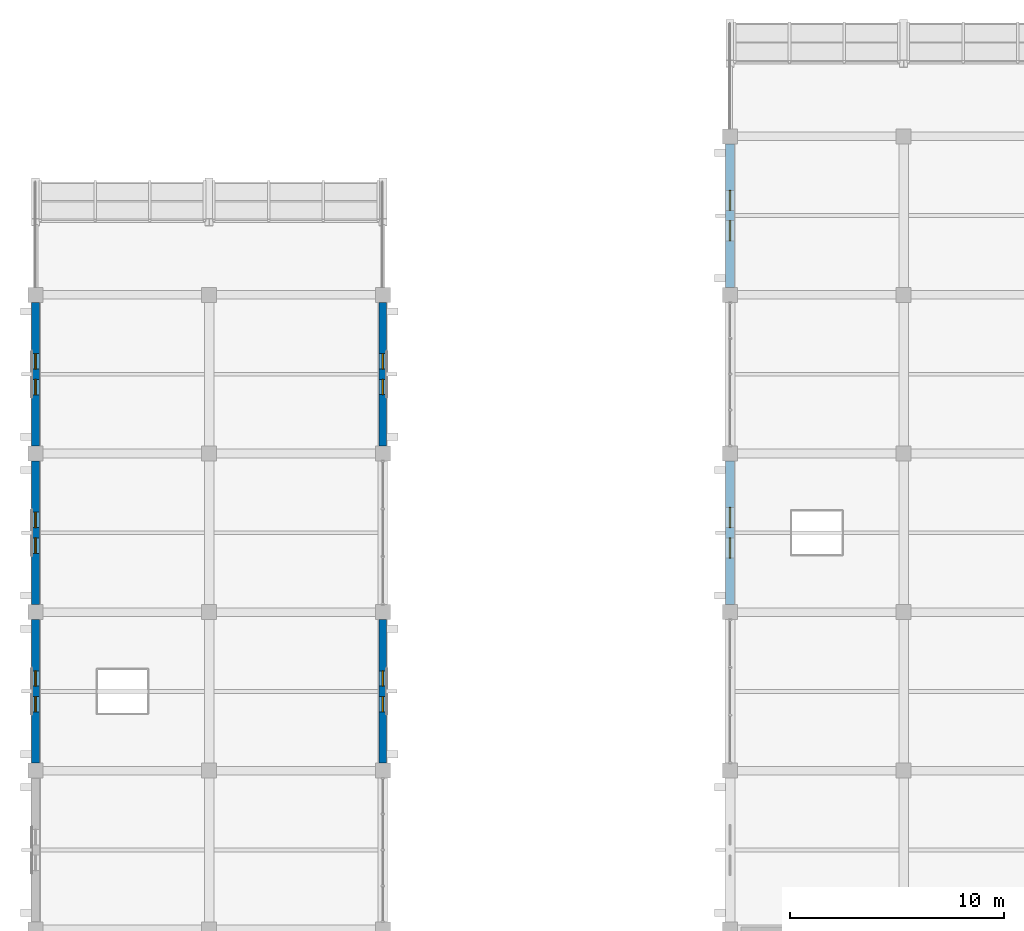
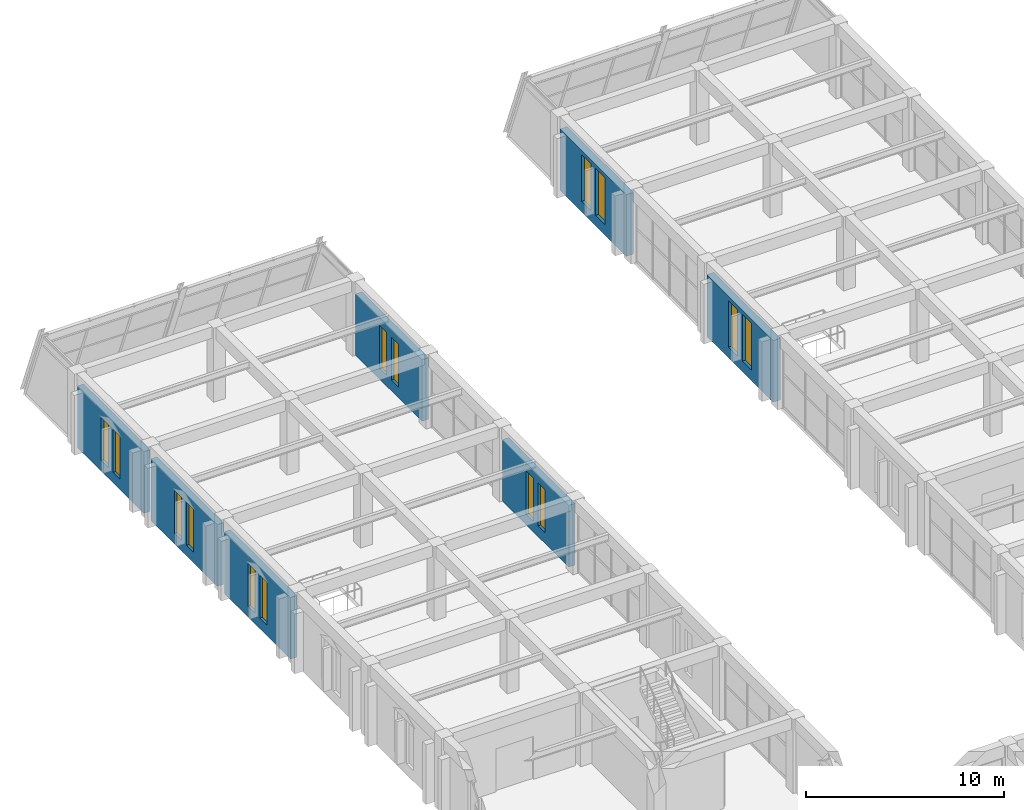
# One storey, part 149 of 161: 14 windows, 7 walls, 14 openings.
"""IFC4 building model written with IfcOpenShell, lengths in metres."""

from ifc_helpers import new_model, si_unit, direction, frame, frame_2d, origin, place, context, subcontext, project, spatial, rectangle, extrude, material, layer, layer_set, type_object, element, fill, save


model = new_model("IFC4")

# Units and contexts
model_context = context("Model", 3, precision=1e-05, world=origin(), true_north=direction((0.0, 1.0)))
body_context = subcontext(model_context, "Body", "Model", "MODEL_VIEW")
ifc_project = project(units=[si_unit("LENGTHUNIT", "METRE"), si_unit("AREAUNIT", "SQUARE_METRE"), si_unit("VOLUMEUNIT", "CUBIC_METRE"), si_unit("PLANEANGLEUNIT", "RADIAN"), si_unit("MASSUNIT", "GRAM", prefix="KILO")], contexts=[model_context])

# Site, building, storey
site_placement = place(None, origin())
site = spatial("IfcSite", under=ifc_project, at=site_placement, CompositionType="ELEMENT")
building_placement = place(site_placement, origin())
building = spatial("IfcBuilding", under=site, at=building_placement, Name="Cimatlan Art Gallery", CompositionType="ELEMENT")
storey_placement = place(building_placement, frame((0.0, 0.0, 5.39990234375)))
storey = spatial("IfcBuildingStorey", under=building, at=storey_placement, Name="L01", CompositionType="ELEMENT", Elevation=5.39990234375)

# Wall, openings, windows
ifc_material_1 = material(Name="Precast concrete C40/50", Category="concrete")
ifc_layer_1 = layer(ifc_material_1, 0.419921875)
ifc_layer_set_1 = layer_set([ifc_layer_1], Name="Precast concrete C40/50")
wall_type_1 = type_object("IfcWallType", Name="WL-EXT-CAN-420", PredefinedType="SOLIDWALL", material=ifc_layer_set_1)
wall_1_placement = place(storey_placement, frame((34.39990234375, 76.053955078125, 0.0), z_axis=(0.0, 0.0, 1.0), x_axis=(0.0, 1.0, 0.0)))
wall_1 = element("IfcWall", 1, at=wall_1_placement, inside=storey, type_object=wall_type_1, Name="WL-EXT-L01-04-10-W", PredefinedType="SOLIDWALL", context=body_context, shape_type="SweptSolid", body=[
    extrude(rectangle(XDim=6.692138671875, YDim=0.419921875, at=frame_2d((3.34619140625, 0.0))), origin(), (0.0, 0.0, 1.0), 3.795166015625),
])
opening_1_placement = place(wall_1_placement, frame((2.166015625, 0.0, 0.64990234375)))
opening_1 = element("IfcOpeningElement", 2, at=opening_1_placement, cuts=wall_1, Name="Opening WN-0101", PredefinedType="OPENING", context=body_context, shape_type="SweptSolid", body=[
    extrude(rectangle(XDim=0.93994140625, YDim=2.8798828125, at=frame_2d((0.469970703125, 1.43994140625))), frame((0.0, 0.219970703125, 0.0), z_axis=(0.0, -1.0, 0.0), x_axis=(1.0, 0.0, 0.0)), (0.0, 0.0, 1.0), 0.43994140625),
])
opening_2_placement = place(wall_1_placement, frame((3.5859375, 0.0, 0.64990234375)))
opening_2 = element("IfcOpeningElement", 3, at=opening_2_placement, cuts=wall_1, Name="Opening WN-0102", PredefinedType="OPENING", context=body_context, shape_type="SweptSolid", body=[
    extrude(rectangle(XDim=0.93994140625, YDim=2.8798828125, at=frame_2d((0.469970703125, 1.43994140625))), frame((0.0, 0.219970703125, 0.0), z_axis=(0.0, -1.0, 0.0), x_axis=(1.0, 0.0, 0.0)), (0.0, 0.0, 1.0), 0.43994140625),
])
ifc_material_2 = material(Name="Low-E laminated double glazing in bronze lancet frame", Category="glass")
window_type_1 = type_object("IfcWindowType", Name="WIN-PAV-W1-0940X2880", PartitioningType="SINGLE_PANEL", PredefinedType="WINDOW", material=ifc_material_2)
window_1_placement = place(opening_1_placement, origin())
window_1 = element("IfcWindow", 4, at=window_1_placement, inside=storey, type_object=window_type_1, Name="WIN-0101", OverallHeight=2.8798828125, OverallWidth=0.93994140625, PartitioningType="SINGLE_PANEL", PredefinedType="WINDOW", context=body_context, shape_type="SweptSolid", body=[
    extrude(rectangle(XDim=0.93994140625, YDim=2.8798828125, at=frame_2d((0.469970703125, 1.43994140625))), frame((0.0, 0.030029296875, 0.0), z_axis=(0.0, -1.0, 0.0), x_axis=(1.0, 0.0, 0.0)), (0.0, 0.0, 1.0), 0.06005859375),
])
fill(opening_1, window_1)
window_2_placement = place(opening_2_placement, origin())
window_2 = element("IfcWindow", 5, at=window_2_placement, inside=storey, type_object=window_type_1, Name="WIN-0102", OverallHeight=2.8798828125, OverallWidth=0.93994140625, PartitioningType="SINGLE_PANEL", PredefinedType="WINDOW", context=body_context, shape_type="SweptSolid", body=[
    extrude(rectangle(XDim=0.93994140625, YDim=2.8798828125, at=frame_2d((0.469970703125, 1.43994140625))), frame((0.0, 0.030029296875, 0.0), z_axis=(0.0, -1.0, 0.0), x_axis=(1.0, 0.0, 0.0)), (0.0, 0.0, 1.0), 0.06005859375),
])
fill(opening_2, window_2)

wall_2_placement = place(storey_placement, frame((34.39990234375, 90.85400390625, 0.0), z_axis=(0.0, 0.0, 1.0), x_axis=(0.0, 1.0, 0.0)))
wall_2 = element("IfcWall", 6, at=wall_2_placement, inside=storey, type_object=wall_type_1, Name="WL-EXT-L01-04-12-W", PredefinedType="SOLIDWALL", context=body_context, shape_type="SweptSolid", body=[
    extrude(rectangle(XDim=6.69189453125, YDim=0.419921875, at=frame_2d((3.345947265625, 0.0))), origin(), (0.0, 0.0, 1.0), 3.795166015625),
])
opening_3_placement = place(wall_2_placement, frame((2.166015625, 0.0, 0.64990234375)))
opening_3 = element("IfcOpeningElement", 7, at=opening_3_placement, cuts=wall_2, Name="Opening WN-0103", PredefinedType="OPENING", context=body_context, shape_type="SweptSolid", body=[
    extrude(rectangle(XDim=0.93994140625, YDim=2.8798828125, at=frame_2d((0.469970703125, 1.43994140625))), frame((0.0, 0.219970703125, 0.0), z_axis=(0.0, -1.0, 0.0), x_axis=(1.0, 0.0, 0.0)), (0.0, 0.0, 1.0), 0.43994140625),
])
opening_4_placement = place(wall_2_placement, frame((3.5859375, 0.0, 0.64990234375)))
opening_4 = element("IfcOpeningElement", 8, at=opening_4_placement, cuts=wall_2, Name="Opening WN-0104", PredefinedType="OPENING", context=body_context, shape_type="SweptSolid", body=[
    extrude(rectangle(XDim=0.93994140625, YDim=2.8798828125, at=frame_2d((0.469970703125, 1.43994140625))), frame((0.0, 0.219970703125, 0.0), z_axis=(0.0, -1.0, 0.0), x_axis=(1.0, 0.0, 0.0)), (0.0, 0.0, 1.0), 0.43994140625),
])
window_3_placement = place(opening_3_placement, origin())
window_3 = element("IfcWindow", 9, at=window_3_placement, inside=storey, type_object=window_type_1, Name="WIN-0103", OverallHeight=2.8798828125, OverallWidth=0.93994140625, PartitioningType="SINGLE_PANEL", PredefinedType="WINDOW", context=body_context, shape_type="SweptSolid", body=[
    extrude(rectangle(XDim=0.93994140625, YDim=2.8798828125, at=frame_2d((0.469970703125, 1.43994140625))), frame((0.0, 0.030029296875, 0.0), z_axis=(0.0, -1.0, 0.0), x_axis=(1.0, 0.0, 0.0)), (0.0, 0.0, 1.0), 0.06005859375),
])
fill(opening_3, window_3)
window_4_placement = place(opening_4_placement, origin())
window_4 = element("IfcWindow", 10, at=window_4_placement, inside=storey, type_object=window_type_1, Name="WIN-0104", OverallHeight=2.8798828125, OverallWidth=0.93994140625, PartitioningType="SINGLE_PANEL", PredefinedType="WINDOW", context=body_context, shape_type="SweptSolid", body=[
    extrude(rectangle(XDim=0.93994140625, YDim=2.8798828125, at=frame_2d((0.469970703125, 1.43994140625))), frame((0.0, 0.030029296875, 0.0), z_axis=(0.0, -1.0, 0.0), x_axis=(1.0, 0.0, 0.0)), (0.0, 0.0, 1.0), 0.06005859375),
])
fill(opening_4, window_4)

ifc_layer_2 = layer(ifc_material_1, 0.364990234375)
ifc_layer_set_2 = layer_set([ifc_layer_2], Name="Precast concrete C40/50")
wall_type_2 = type_object("IfcWallType", Name="WL-EXT-VLT-365", PredefinedType="SOLIDWALL", material=ifc_layer_set_2)
wall_3_placement = place(storey_placement, frame((2.0, 68.654052734375, 0.0), z_axis=(0.0, 0.0, 1.0), x_axis=(0.0, 1.0, 0.0)))
wall_3 = element("IfcWall", 11, at=wall_3_placement, inside=storey, type_object=wall_type_2, Name="WL-EXT-L01-00-09-W", PredefinedType="SOLIDWALL", context=body_context, shape_type="SweptSolid", body=[
    extrude(rectangle(XDim=6.69189453125, YDim=0.364990234375, at=frame_2d((3.345947265625, 0.0))), origin(), (0.0, 0.0, 1.0), 3.795166015625),
])
opening_5_placement = place(wall_3_placement, frame((2.385986328125, 0.0, 0.64990234375)))
opening_5 = element("IfcOpeningElement", 12, at=opening_5_placement, cuts=wall_3, Name="Opening WN-0073", PredefinedType="OPENING", context=body_context, shape_type="SweptSolid", body=[
    extrude(rectangle(XDim=0.719970703125, YDim=2.64990234375, at=frame_2d((0.35986328125, 1.324951171875))), frame((0.0, 0.1923828125, 0.0), z_axis=(0.0, -1.0, 0.0), x_axis=(1.0, 0.0, 0.0)), (0.0, 0.0, 1.0), 0.385009765625),
])
opening_6_placement = place(wall_3_placement, frame((3.5859375, 0.0, 0.64990234375)))
opening_6 = element("IfcOpeningElement", 13, at=opening_6_placement, cuts=wall_3, Name="Opening WN-0074", PredefinedType="OPENING", context=body_context, shape_type="SweptSolid", body=[
    extrude(rectangle(XDim=0.719970703125, YDim=2.64990234375, at=frame_2d((0.35986328125, 1.324951171875))), frame((0.0, 0.1923828125, 0.0), z_axis=(0.0, -1.0, 0.0), x_axis=(1.0, 0.0, 0.0)), (0.0, 0.0, 1.0), 0.385009765625),
])
window_type_2 = type_object("IfcWindowType", Name="WIN-CNS-L01-0720X2650", PartitioningType="SINGLE_PANEL", PredefinedType="WINDOW", material=ifc_material_2)
window_5_placement = place(opening_5_placement, origin())
window_5 = element("IfcWindow", 14, at=window_5_placement, inside=storey, type_object=window_type_2, Name="WIN-0073", OverallHeight=2.64990234375, OverallWidth=0.719970703125, PartitioningType="SINGLE_PANEL", PredefinedType="WINDOW", context=body_context, shape_type="SweptSolid", body=[
    extrude(rectangle(XDim=0.719970703125, YDim=2.64990234375, at=frame_2d((0.35986328125, 1.324951171875))), frame((0.0, 0.030029296875, 0.0), z_axis=(0.0, -1.0, 0.0), x_axis=(1.0, 0.0, 0.0)), (0.0, 0.0, 1.0), 0.06005859375),
])
fill(opening_5, window_5)
window_6_placement = place(opening_6_placement, origin())
window_6 = element("IfcWindow", 15, at=window_6_placement, inside=storey, type_object=window_type_2, Name="WIN-0074", OverallHeight=2.64990234375, OverallWidth=0.719970703125, PartitioningType="SINGLE_PANEL", PredefinedType="WINDOW", context=body_context, shape_type="SweptSolid", body=[
    extrude(rectangle(XDim=0.719970703125, YDim=2.64990234375, at=frame_2d((0.35986328125, 1.324951171875))), frame((0.0, 0.030029296875, 0.0), z_axis=(0.0, -1.0, 0.0), x_axis=(1.0, 0.0, 0.0)), (0.0, 0.0, 1.0), 0.06005859375),
])
fill(opening_6, window_6)

wall_4_placement = place(storey_placement, frame((2.0, 76.053955078125, 0.0), z_axis=(0.0, 0.0, 1.0), x_axis=(0.0, 1.0, 0.0)))
wall_4 = element("IfcWall", 16, at=wall_4_placement, inside=storey, type_object=wall_type_2, Name="WL-EXT-L01-00-10-W", PredefinedType="SOLIDWALL", context=body_context, shape_type="SweptSolid", body=[
    extrude(rectangle(XDim=6.692138671875, YDim=0.364990234375, at=frame_2d((3.34619140625, 0.0))), origin(), (0.0, 0.0, 1.0), 3.795166015625),
])
opening_7_placement = place(wall_4_placement, frame((2.385986328125, 0.0, 0.64990234375)))
opening_7 = element("IfcOpeningElement", 17, at=opening_7_placement, cuts=wall_4, Name="Opening WN-0075", PredefinedType="OPENING", context=body_context, shape_type="SweptSolid", body=[
    extrude(rectangle(XDim=0.719970703125, YDim=2.64990234375, at=frame_2d((0.35986328125, 1.324951171875))), frame((0.0, 0.1923828125, 0.0), z_axis=(0.0, -1.0, 0.0), x_axis=(1.0, 0.0, 0.0)), (0.0, 0.0, 1.0), 0.385009765625),
])
opening_8_placement = place(wall_4_placement, frame((3.5859375, 0.0, 0.64990234375)))
opening_8 = element("IfcOpeningElement", 18, at=opening_8_placement, cuts=wall_4, Name="Opening WN-0076", PredefinedType="OPENING", context=body_context, shape_type="SweptSolid", body=[
    extrude(rectangle(XDim=0.719970703125, YDim=2.64990234375, at=frame_2d((0.35986328125, 1.324951171875))), frame((0.0, 0.1923828125, 0.0), z_axis=(0.0, -1.0, 0.0), x_axis=(1.0, 0.0, 0.0)), (0.0, 0.0, 1.0), 0.385009765625),
])
window_7_placement = place(opening_7_placement, origin())
window_7 = element("IfcWindow", 19, at=window_7_placement, inside=storey, type_object=window_type_2, Name="WIN-0075", OverallHeight=2.64990234375, OverallWidth=0.719970703125, PartitioningType="SINGLE_PANEL", PredefinedType="WINDOW", context=body_context, shape_type="SweptSolid", body=[
    extrude(rectangle(XDim=0.719970703125, YDim=2.64990234375, at=frame_2d((0.35986328125, 1.324951171875))), frame((0.0, 0.030029296875, 0.0), z_axis=(0.0, -1.0, 0.0), x_axis=(1.0, 0.0, 0.0)), (0.0, 0.0, 1.0), 0.06005859375),
])
fill(opening_7, window_7)
window_8_placement = place(opening_8_placement, origin())
window_8 = element("IfcWindow", 20, at=window_8_placement, inside=storey, type_object=window_type_2, Name="WIN-0076", OverallHeight=2.64990234375, OverallWidth=0.719970703125, PartitioningType="SINGLE_PANEL", PredefinedType="WINDOW", context=body_context, shape_type="SweptSolid", body=[
    extrude(rectangle(XDim=0.719970703125, YDim=2.64990234375, at=frame_2d((0.35986328125, 1.324951171875))), frame((0.0, 0.030029296875, 0.0), z_axis=(0.0, -1.0, 0.0), x_axis=(1.0, 0.0, 0.0)), (0.0, 0.0, 1.0), 0.06005859375),
])
fill(opening_8, window_8)

wall_5_placement = place(storey_placement, frame((2.0, 83.4541015625, 0.0), z_axis=(0.0, 0.0, 1.0), x_axis=(0.0, 1.0, 0.0)))
wall_5 = element("IfcWall", 21, at=wall_5_placement, inside=storey, type_object=wall_type_2, Name="WL-EXT-L01-00-11-W", PredefinedType="SOLIDWALL", context=body_context, shape_type="SweptSolid", body=[
    extrude(rectangle(XDim=6.69189453125, YDim=0.364990234375, at=frame_2d((3.345947265625, 0.0))), origin(), (0.0, 0.0, 1.0), 3.795166015625),
])
opening_9_placement = place(wall_5_placement, frame((2.385986328125, 0.0, 0.64990234375)))
opening_9 = element("IfcOpeningElement", 22, at=opening_9_placement, cuts=wall_5, Name="Opening WN-0077", PredefinedType="OPENING", context=body_context, shape_type="SweptSolid", body=[
    extrude(rectangle(XDim=0.719970703125, YDim=2.64990234375, at=frame_2d((0.35986328125, 1.324951171875))), frame((0.0, 0.1923828125, 0.0), z_axis=(0.0, -1.0, 0.0), x_axis=(1.0, 0.0, 0.0)), (0.0, 0.0, 1.0), 0.385009765625),
])
opening_10_placement = place(wall_5_placement, frame((3.5859375, 0.0, 0.64990234375)))
opening_10 = element("IfcOpeningElement", 23, at=opening_10_placement, cuts=wall_5, Name="Opening WN-0078", PredefinedType="OPENING", context=body_context, shape_type="SweptSolid", body=[
    extrude(rectangle(XDim=0.719970703125, YDim=2.64990234375, at=frame_2d((0.35986328125, 1.324951171875))), frame((0.0, 0.1923828125, 0.0), z_axis=(0.0, -1.0, 0.0), x_axis=(1.0, 0.0, 0.0)), (0.0, 0.0, 1.0), 0.385009765625),
])
window_9_placement = place(opening_9_placement, origin())
window_9 = element("IfcWindow", 24, at=window_9_placement, inside=storey, type_object=window_type_2, Name="WIN-0077", OverallHeight=2.64990234375, OverallWidth=0.719970703125, PartitioningType="SINGLE_PANEL", PredefinedType="WINDOW", context=body_context, shape_type="SweptSolid", body=[
    extrude(rectangle(XDim=0.719970703125, YDim=2.64990234375, at=frame_2d((0.35986328125, 1.324951171875))), frame((0.0, 0.030029296875, 0.0), z_axis=(0.0, -1.0, 0.0), x_axis=(1.0, 0.0, 0.0)), (0.0, 0.0, 1.0), 0.06005859375),
])
fill(opening_9, window_9)
window_10_placement = place(opening_10_placement, origin())
window_10 = element("IfcWindow", 25, at=window_10_placement, inside=storey, type_object=window_type_2, Name="WIN-0078", OverallHeight=2.64990234375, OverallWidth=0.719970703125, PartitioningType="SINGLE_PANEL", PredefinedType="WINDOW", context=body_context, shape_type="SweptSolid", body=[
    extrude(rectangle(XDim=0.719970703125, YDim=2.64990234375, at=frame_2d((0.35986328125, 1.324951171875))), frame((0.0, 0.030029296875, 0.0), z_axis=(0.0, -1.0, 0.0), x_axis=(1.0, 0.0, 0.0)), (0.0, 0.0, 1.0), 0.06005859375),
])
fill(opening_10, window_10)

wall_6_placement = place(storey_placement, frame((18.199951171875, 75.345947265625, 0.0), z_axis=(0.0, 0.0, 1.0), x_axis=(0.0, -1.0, 0.0)))
wall_6 = element("IfcWall", 26, at=wall_6_placement, inside=storey, type_object=wall_type_2, Name="WL-EXT-L01-01-09-E", PredefinedType="SOLIDWALL", context=body_context, shape_type="SweptSolid", body=[
    extrude(rectangle(XDim=6.69189453125, YDim=0.364990234375, at=frame_2d((3.345947265625, 0.0))), origin(), (0.0, 0.0, 1.0), 3.795166015625),
])
opening_11_placement = place(wall_6_placement, frame((2.385986328125, 0.0, 0.64990234375)))
opening_11 = element("IfcOpeningElement", 27, at=opening_11_placement, cuts=wall_6, Name="Opening WN-0085", PredefinedType="OPENING", context=body_context, shape_type="SweptSolid", body=[
    extrude(rectangle(XDim=0.719970703125, YDim=2.64990234375, at=frame_2d((0.35986328125, 1.324951171875))), frame((0.0, 0.1923828125, 0.0), z_axis=(0.0, -1.0, 0.0), x_axis=(1.0, 0.0, 0.0)), (0.0, 0.0, 1.0), 0.385009765625),
])
opening_12_placement = place(wall_6_placement, frame((3.5859375, 0.0, 0.64990234375)))
opening_12 = element("IfcOpeningElement", 28, at=opening_12_placement, cuts=wall_6, Name="Opening WN-0086", PredefinedType="OPENING", context=body_context, shape_type="SweptSolid", body=[
    extrude(rectangle(XDim=0.719970703125, YDim=2.64990234375, at=frame_2d((0.35986328125, 1.324951171875))), frame((0.0, 0.1923828125, 0.0), z_axis=(0.0, -1.0, 0.0), x_axis=(1.0, 0.0, 0.0)), (0.0, 0.0, 1.0), 0.385009765625),
])
window_11_placement = place(opening_11_placement, origin())
window_11 = element("IfcWindow", 29, at=window_11_placement, inside=storey, type_object=window_type_2, Name="WIN-0085", OverallHeight=2.64990234375, OverallWidth=0.719970703125, PartitioningType="SINGLE_PANEL", PredefinedType="WINDOW", context=body_context, shape_type="SweptSolid", body=[
    extrude(rectangle(XDim=0.719970703125, YDim=2.64990234375, at=frame_2d((0.35986328125, 1.324951171875))), frame((0.0, 0.030029296875, 0.0), z_axis=(0.0, -1.0, 0.0), x_axis=(1.0, 0.0, 0.0)), (0.0, 0.0, 1.0), 0.06005859375),
])
fill(opening_11, window_11)
window_12_placement = place(opening_12_placement, origin())
window_12 = element("IfcWindow", 30, at=window_12_placement, inside=storey, type_object=window_type_2, Name="WIN-0086", OverallHeight=2.64990234375, OverallWidth=0.719970703125, PartitioningType="SINGLE_PANEL", PredefinedType="WINDOW", context=body_context, shape_type="SweptSolid", body=[
    extrude(rectangle(XDim=0.719970703125, YDim=2.64990234375, at=frame_2d((0.35986328125, 1.324951171875))), frame((0.0, 0.030029296875, 0.0), z_axis=(0.0, -1.0, 0.0), x_axis=(1.0, 0.0, 0.0)), (0.0, 0.0, 1.0), 0.06005859375),
])
fill(opening_12, window_12)

wall_7_placement = place(storey_placement, frame((18.199951171875, 90.14599609375, 0.0), z_axis=(0.0, 0.0, 1.0), x_axis=(0.0, -1.0, 0.0)))
wall_7 = element("IfcWall", 31, at=wall_7_placement, inside=storey, type_object=wall_type_2, Name="WL-EXT-L01-01-11-E", PredefinedType="SOLIDWALL", context=body_context, shape_type="SweptSolid", body=[
    extrude(rectangle(XDim=6.69189453125, YDim=0.364990234375, at=frame_2d((3.345947265625, 0.0))), origin(), (0.0, 0.0, 1.0), 3.795166015625),
])
opening_13_placement = place(wall_7_placement, frame((2.385986328125, 0.0, 0.64990234375)))
opening_13 = element("IfcOpeningElement", 32, at=opening_13_placement, cuts=wall_7, Name="Opening WN-0087", PredefinedType="OPENING", context=body_context, shape_type="SweptSolid", body=[
    extrude(rectangle(XDim=0.719970703125, YDim=2.64990234375, at=frame_2d((0.35986328125, 1.324951171875))), frame((0.0, 0.1923828125, 0.0), z_axis=(0.0, -1.0, 0.0), x_axis=(1.0, 0.0, 0.0)), (0.0, 0.0, 1.0), 0.385009765625),
])
opening_14_placement = place(wall_7_placement, frame((3.5859375, 0.0, 0.64990234375)))
opening_14 = element("IfcOpeningElement", 33, at=opening_14_placement, cuts=wall_7, Name="Opening WN-0088", PredefinedType="OPENING", context=body_context, shape_type="SweptSolid", body=[
    extrude(rectangle(XDim=0.719970703125, YDim=2.64990234375, at=frame_2d((0.35986328125, 1.324951171875))), frame((0.0, 0.1923828125, 0.0), z_axis=(0.0, -1.0, 0.0), x_axis=(1.0, 0.0, 0.0)), (0.0, 0.0, 1.0), 0.385009765625),
])
window_13_placement = place(opening_13_placement, origin())
window_13 = element("IfcWindow", 34, at=window_13_placement, inside=storey, type_object=window_type_2, Name="WIN-0087", OverallHeight=2.64990234375, OverallWidth=0.719970703125, PartitioningType="SINGLE_PANEL", PredefinedType="WINDOW", context=body_context, shape_type="SweptSolid", body=[
    extrude(rectangle(XDim=0.719970703125, YDim=2.64990234375, at=frame_2d((0.35986328125, 1.324951171875))), frame((0.0, 0.030029296875, 0.0), z_axis=(0.0, -1.0, 0.0), x_axis=(1.0, 0.0, 0.0)), (0.0, 0.0, 1.0), 0.06005859375),
])
fill(opening_13, window_13)
window_14_placement = place(opening_14_placement, origin())
window_14 = element("IfcWindow", 35, at=window_14_placement, inside=storey, type_object=window_type_2, Name="WIN-0088", OverallHeight=2.64990234375, OverallWidth=0.719970703125, PartitioningType="SINGLE_PANEL", PredefinedType="WINDOW", context=body_context, shape_type="SweptSolid", body=[
    extrude(rectangle(XDim=0.719970703125, YDim=2.64990234375, at=frame_2d((0.35986328125, 1.324951171875))), frame((0.0, 0.030029296875, 0.0), z_axis=(0.0, -1.0, 0.0), x_axis=(1.0, 0.0, 0.0)), (0.0, 0.0, 1.0), 0.06005859375),
])
fill(opening_14, window_14)

save(model, "model.ifc")
